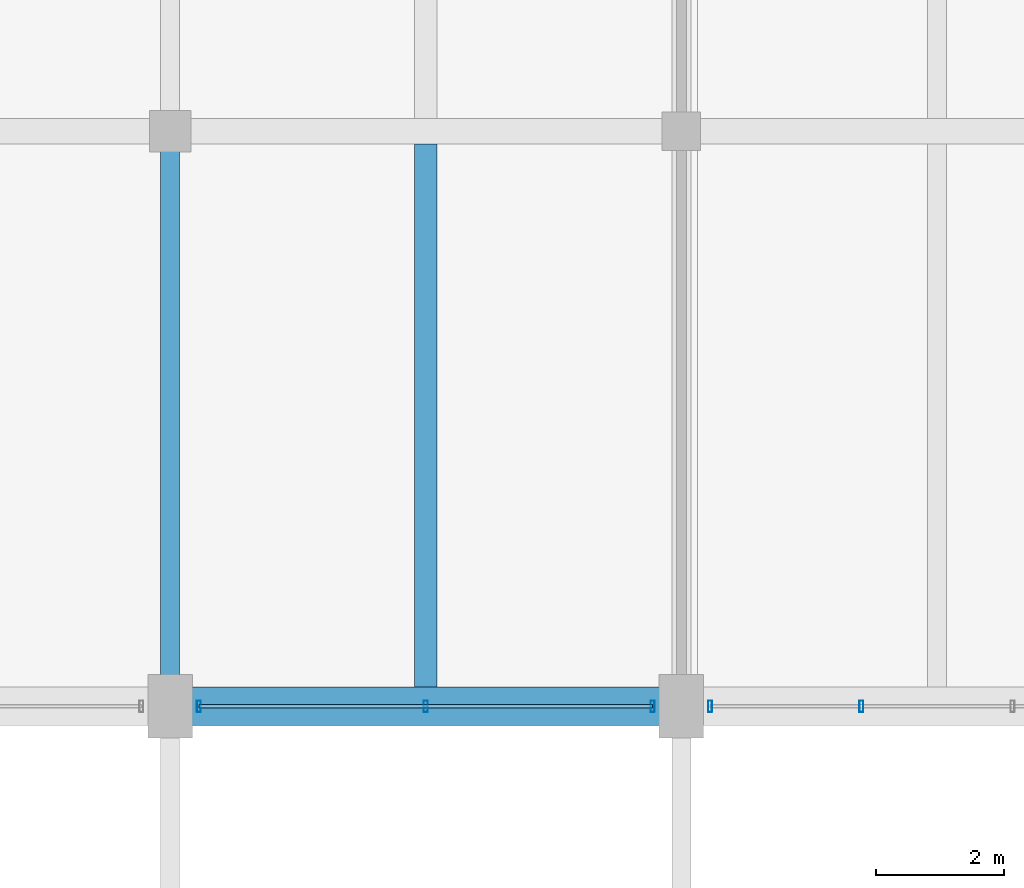
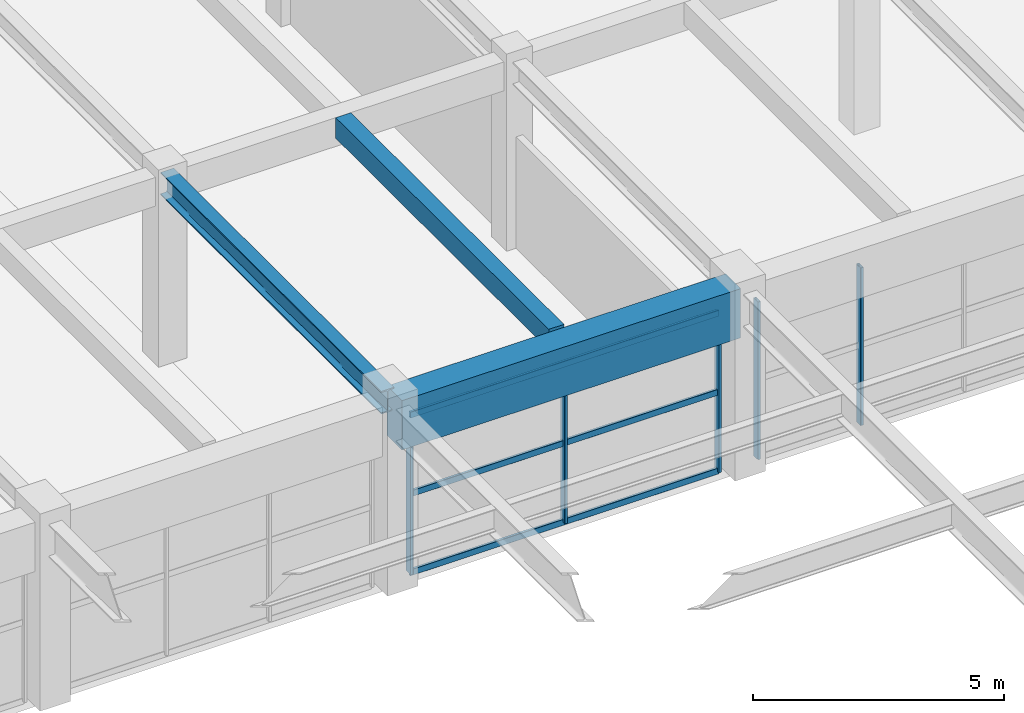
# One storey, part 61 of 144: 8 members, 3 beams, 2 elements without a shape of their own.
"""IFC4 building model written with IfcOpenShell, lengths in metres."""

from ifc_helpers import new_model, si_unit, direction, frame, origin, origin_2d, place, context, subcontext, project, spatial, rectangle, hollow_rectangle, i_section, extrude, material, material_profile, profile_set, type_object, element, aggregate, save


model = new_model("IFC4")

# Units and contexts
model_context = context("Model", 3, precision=1e-05, world=origin(), true_north=direction((0.0, 1.0)))
body_context = subcontext(model_context, "Body", "Model", "MODEL_VIEW")
ifc_project = project(units=[si_unit("LENGTHUNIT", "METRE"), si_unit("AREAUNIT", "SQUARE_METRE"), si_unit("VOLUMEUNIT", "CUBIC_METRE"), si_unit("PLANEANGLEUNIT", "RADIAN"), si_unit("MASSUNIT", "GRAM", prefix="KILO")], contexts=[model_context])

# Site, building, storey
site_placement = place(None, origin())
site = spatial("IfcSite", under=ifc_project, at=site_placement, CompositionType="ELEMENT")
building_placement = place(site_placement, origin())
building = spatial("IfcBuilding", under=site, at=building_placement, Name="Varnabhumi Central Station", CompositionType="ELEMENT")
storey_placement = place(building_placement, frame((0.0, 0.0, 4.800048828125)))
storey = spatial("IfcBuildingStorey", under=building, at=storey_placement, Name="L01", CompositionType="ELEMENT", Elevation=4.800048828125)

# Beams
ifc_material_1 = material(Name="Concrete M50", Category="concrete")
ifc_material_profile_1 = material_profile(ifc_material_1, rectangle(XDim=0.60009765625, YDim=1.199951171875, at=origin_2d()), Name="Concrete M50", Category="concrete")
ifc_profile_set_1 = profile_set([ifc_material_profile_1], Name="Concrete M50")
beam_type_1 = type_object("IfcBeamType", Name="BM-RC-1200x600", PredefinedType="BEAM", material=ifc_profile_set_1)
beam_1_placement = place(storey_placement, frame((96.10009765625, 80.0, 3.8798828125), z_axis=(1.0, 0.0, 0.0), x_axis=(0.0, 1.0, 0.0)))
element("IfcBeam", 1, at=beam_1_placement, inside=storey, type_object=beam_type_1, Name="Beam L01-K:13-14", PredefinedType="BEAM", context=body_context, shape_type="SweptSolid", body=[
    extrude(rectangle(XDim=0.60009765625, YDim=1.199951171875, at=origin_2d()), origin(), (0.0, 0.0, 1.0), 7.7998046875),
])
ifc_material_2 = material(Name="Concrete M40", Category="concrete")
ifc_material_profile_2 = material_profile(ifc_material_2, rectangle(XDim=0.35009765625, YDim=0.5, at=origin_2d()), Name="Concrete M40", Category="concrete")
ifc_profile_set_2 = profile_set([ifc_material_profile_2], Name="Concrete M40")
beam_type_2 = type_object("IfcBeamType", Name="BM-RC-350x500", PredefinedType="JOIST", material=ifc_profile_set_2)
beam_2_placement = place(storey_placement, frame((100.0, 80.300048828125, 4.300048828125), z_axis=(0.0, 1.0, 0.0), x_axis=(-1.0, 0.0, 0.0)))
element("IfcBeam", 2, at=beam_2_placement, inside=storey, type_object=beam_type_2, Name="Secondary Joist L01-13/14:K-L", PredefinedType="JOIST", context=body_context, shape_type="SweptSolid", body=[
    extrude(rectangle(XDim=0.35009765625, YDim=0.5, at=origin_2d()), origin(), (0.0, 0.0, 1.0), 8.5),
])
ifc_material_3 = material(Name="Structural steel E350", Category="steel")
ifc_material_profile_3 = material_profile(ifc_material_3, i_section(OverallWidth=0.300048828125, OverallDepth=0.550048828125, WebThickness=0.014892578125, FlangeThickness=0.029052734375, FilletRadius=0.027099609375, at=origin_2d()), Name="Structural steel E350", Category="steel")
ifc_profile_set_3 = profile_set([ifc_material_profile_3], Name="Structural steel E350")
beam_type_3 = type_object("IfcBeamType", Name="BM-STL-WPB550", PredefinedType="BEAM", material=ifc_profile_set_3)
beam_3_placement = place(storey_placement, frame((96.0, 80.10009765625, 4.27490234375), z_axis=(0.0, 1.0, 0.0), x_axis=(-1.0, 0.0, 0.0)))
element("IfcBeam", 3, at=beam_3_placement, inside=storey, type_object=beam_type_3, Name="Beam L01-13:K-L", PredefinedType="BEAM", context=body_context, shape_type="SweptSolid", body=[
    extrude(i_section(OverallWidth=0.300048828125, OverallDepth=0.550048828125, WebThickness=0.014892578125, FlangeThickness=0.029052734375, FilletRadius=0.027099609375, at=origin_2d()), origin(), (0.0, 0.0, 1.0), 8.7998046875),
])

# Curtain wall, members
ifc_material_4 = material(Name="Anodised aluminium 6063-T6", Category="aluminium")
curtain_wall_type_1 = type_object("IfcCurtainWallType", Name="CW-SPINE-SCREEN-L0", PredefinedType="NOTDEFINED", material=ifc_material_4)
curtain_wall_1_placement = place(storey_placement, origin())
curtain_wall_1 = element("IfcCurtainWall", 4, at=curtain_wall_1_placement, inside=storey, type_object=curtain_wall_type_1, Name="Curtain Wall CW-NS112", PredefinedType="NOTDEFINED")
ifc_material_profile_4 = material_profile(ifc_material_4, hollow_rectangle(XDim=0.06494140625, YDim=0.179931640625, WallThickness=0.00390625, InnerFilletRadius=0.001953125, OuterFilletRadius=0.006103515625, at=origin_2d()), Name="Anodised aluminium 6063-T6", Category="aluminium")
ifc_profile_set_4 = profile_set([ifc_material_profile_4], Name="Anodised aluminium 6063-T6")
member_type_1 = type_object("IfcMemberType", Name="CW-MUL-180", PredefinedType="MULLION", material=ifc_profile_set_4)
member_1_placement = place(storey_placement, frame((96.449951171875, 80.0, 0.0), z_axis=(0.0, 0.0, 1.0), x_axis=(1.0, 0.0, 0.0)))
member_1 = element("IfcMember", 5, at=member_1_placement, type_object=member_type_1, Name="Curtain Wall Mullion CW-NS112-M1", PredefinedType="MULLION", context=body_context, shape_type="SweptSolid", body=[
    extrude(hollow_rectangle(XDim=0.06494140625, YDim=0.179931640625, WallThickness=0.00390625, InnerFilletRadius=0.001953125, OuterFilletRadius=0.006103515625, at=origin_2d()), origin(), (0.0, 0.0, 1.0), 3.83984375),
])
member_2_placement = place(storey_placement, frame((100.0, 80.0, 0.0), z_axis=(0.0, 0.0, 1.0), x_axis=(1.0, 0.0, 0.0)))
member_2 = element("IfcMember", 6, at=member_2_placement, type_object=member_type_1, Name="Curtain Wall Mullion CW-NS112-M2", PredefinedType="MULLION", context=body_context, shape_type="SweptSolid", body=[
    extrude(hollow_rectangle(XDim=0.06494140625, YDim=0.179931640625, WallThickness=0.00390625, InnerFilletRadius=0.001953125, OuterFilletRadius=0.006103515625, at=origin_2d()), origin(), (0.0, 0.0, 1.0), 3.83984375),
])
member_3_placement = place(storey_placement, frame((103.550048828125, 80.0, 0.0), z_axis=(0.0, 0.0, 1.0), x_axis=(1.0, 0.0, 0.0)))
member_3 = element("IfcMember", 7, at=member_3_placement, type_object=member_type_1, Name="Curtain Wall Mullion CW-NS112-M3", PredefinedType="MULLION", context=body_context, shape_type="SweptSolid", body=[
    extrude(hollow_rectangle(XDim=0.06494140625, YDim=0.179931640625, WallThickness=0.00390625, InnerFilletRadius=0.001953125, OuterFilletRadius=0.006103515625, at=origin_2d()), origin(), (0.0, 0.0, 1.0), 3.83984375),
])

curtain_wall_type_2 = type_object("IfcCurtainWallType", Name="CW-STREET-PORTAL", PredefinedType="NOTDEFINED", material=ifc_material_4)
curtain_wall_2_placement = place(storey_placement, origin())
curtain_wall_2 = element("IfcCurtainWall", 8, at=curtain_wall_2_placement, inside=storey, type_object=curtain_wall_type_2, Name="Curtain Wall CW-NSP113", PredefinedType="NOTDEFINED")
member_4_placement = place(storey_placement, frame((104.449951171875, 80.0, 0.0), z_axis=(0.0, 0.0, 1.0), x_axis=(1.0, 0.0, 0.0)))
member_4 = element("IfcMember", 9, at=member_4_placement, type_object=member_type_1, Name="Curtain Wall Mullion CW-NSP113-M1", PredefinedType="MULLION", context=body_context, shape_type="SweptSolid", body=[
    extrude(hollow_rectangle(XDim=0.06494140625, YDim=0.179931640625, WallThickness=0.00390625, InnerFilletRadius=0.001953125, OuterFilletRadius=0.006103515625, at=origin_2d()), origin(), (0.0, 0.0, 1.0), 3.83984375),
])
member_5_placement = place(storey_placement, frame((106.816650390625, 80.0, 0.0), z_axis=(0.0, 0.0, 1.0), x_axis=(1.0, 0.0, 0.0)))
member_5 = element("IfcMember", 10, at=member_5_placement, type_object=member_type_1, Name="Curtain Wall Mullion CW-NSP113-M2", PredefinedType="MULLION", context=body_context, shape_type="SweptSolid", body=[
    extrude(hollow_rectangle(XDim=0.06494140625, YDim=0.179931640625, WallThickness=0.00390625, InnerFilletRadius=0.001953125, OuterFilletRadius=0.006103515625, at=origin_2d()), origin(), (0.0, 0.0, 1.0), 3.83984375),
])
aggregate(curtain_wall_2, [member_4, member_5])

# Member
ifc_material_profile_5 = material_profile(ifc_material_4, hollow_rectangle(XDim=0.06005859375, YDim=0.14990234375, WallThickness=0.00390625, InnerFilletRadius=0.001953125, OuterFilletRadius=0.006103515625, at=origin_2d()), Name="Anodised aluminium 6063-T6", Category="aluminium")
ifc_profile_set_5 = profile_set([ifc_material_profile_5], Name="Anodised aluminium 6063-T6")
member_type_2 = type_object("IfcMemberType", Name="CW-TR-150", PredefinedType="USERDEFINED", material=ifc_profile_set_5)
member_6_placement = place(storey_placement, frame((96.449951171875, 80.0, 0.0), z_axis=(1.0, 0.0, 0.0), x_axis=(0.0, 1.0, 0.0)))
member_6 = element("IfcMember", 11, at=member_6_placement, type_object=member_type_2, Name="Curtain Wall Transom CW-NS112-T1", ObjectType="TRANSOM", PredefinedType="USERDEFINED", context=body_context, shape_type="SweptSolid", body=[
    extrude(hollow_rectangle(XDim=0.06005859375, YDim=0.14990234375, WallThickness=0.00390625, InnerFilletRadius=0.001953125, OuterFilletRadius=0.006103515625, at=origin_2d()), origin(), (0.0, 0.0, 1.0), 7.10009765625),
])

member_7_placement = place(storey_placement, frame((96.449951171875, 80.0, 1.919921875), z_axis=(1.0, 0.0, 0.0), x_axis=(0.0, 1.0, 0.0)))
member_7 = element("IfcMember", 12, at=member_7_placement, type_object=member_type_2, Name="Curtain Wall Transom CW-NS112-T2", ObjectType="TRANSOM", PredefinedType="USERDEFINED", context=body_context, shape_type="SweptSolid", body=[
    extrude(hollow_rectangle(XDim=0.06005859375, YDim=0.14990234375, WallThickness=0.00390625, InnerFilletRadius=0.001953125, OuterFilletRadius=0.006103515625, at=origin_2d()), origin(), (0.0, 0.0, 1.0), 7.10009765625),
])

member_8_placement = place(storey_placement, frame((96.449951171875, 80.0, 3.83984375), z_axis=(1.0, 0.0, 0.0), x_axis=(0.0, 1.0, 0.0)))
member_8 = element("IfcMember", 13, at=member_8_placement, type_object=member_type_2, Name="Curtain Wall Transom CW-NS112-T3", ObjectType="TRANSOM", PredefinedType="USERDEFINED", context=body_context, shape_type="SweptSolid", body=[
    extrude(hollow_rectangle(XDim=0.06005859375, YDim=0.14990234375, WallThickness=0.00390625, InnerFilletRadius=0.001953125, OuterFilletRadius=0.006103515625, at=origin_2d()), origin(), (0.0, 0.0, 1.0), 7.10009765625),
])

aggregate(curtain_wall_1, [member_1, member_2, member_3, member_6, member_7, member_8])

save(model, "model.ifc")
